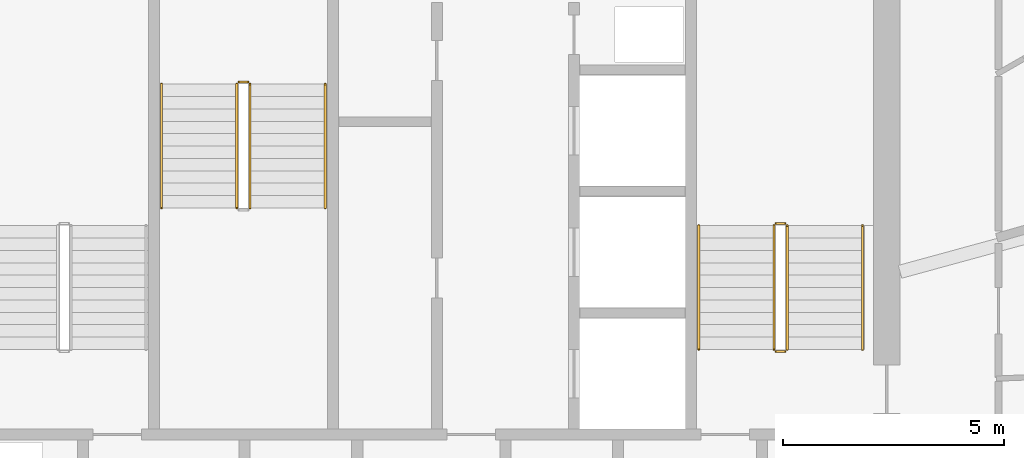
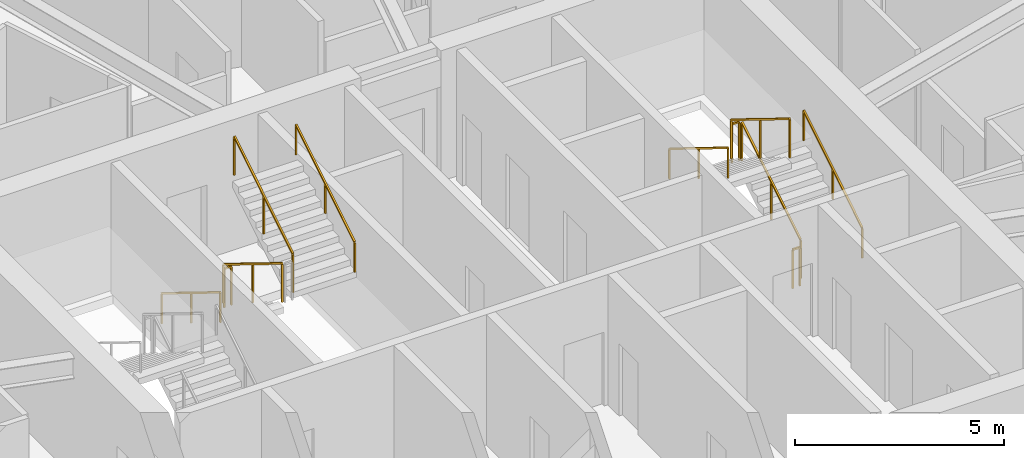
# One storey, part 25 of 26: 11 railings.
"""IFC4 building model written with IfcOpenShell, lengths in metres."""

from ifc_helpers import new_model, si_unit, direction, frame, origin, origin_2d, place, context, subcontext, project, spatial, rectangle, extrude, material, type_object, element, save


model = new_model("IFC4")

# Units and contexts
model_context = context("Model", 3, precision=1e-05, world=origin(), true_north=direction((0.0, 1.0)))
body_context = subcontext(model_context, "Body", "Model", "MODEL_VIEW")
ifc_project = project(units=[si_unit("LENGTHUNIT", "METRE"), si_unit("AREAUNIT", "SQUARE_METRE"), si_unit("VOLUMEUNIT", "CUBIC_METRE"), si_unit("PLANEANGLEUNIT", "RADIAN"), si_unit("MASSUNIT", "GRAM", prefix="KILO")], contexts=[model_context])

# Site, building, storey
site_placement = place(None, origin())
site = spatial("IfcSite", under=ifc_project, at=site_placement, CompositionType="ELEMENT")
building_placement = place(site_placement, origin())
building = spatial("IfcBuilding", under=site, at=building_placement, Name="Zuhravey Tower", CompositionType="ELEMENT")
storey_placement = place(building_placement, frame((0.0, 0.0, 295.800048828125)))
storey = spatial("IfcBuildingStorey", under=building, at=storey_placement, Name="L75", CompositionType="ELEMENT", Elevation=295.800048828125)

# Railings
ifc_material_1 = material(Name="Brushed stainless steel", Category="steel")
railing_type_1 = type_object("IfcRailingType", Name="Stair Wall Handrail 900", PredefinedType="HANDRAIL", material=ifc_material_1)
railing_1_placement = place(storey_placement, frame((45.949951171875, 33.199951171875, 0.172607421875)))
element("IfcRailing", 1, at=railing_1_placement, inside=storey, type_object=railing_type_1, Name="L75 ST2 stair handrail 1", PredefinedType="HANDRAIL", context=body_context, shape_type="SweptSolid", body=[
    extrude(rectangle(XDim=0.048095703125, YDim=0.048095703125, at=origin_2d()), frame((0.0, 0.001708984375, 0.876953125), z_axis=(0.0, 0.851089632645, 0.525020415988), x_axis=(-1.0, 0.0, 0.0)), (0.0, 0.0, 1.0), 3.285888671875),
    extrude(rectangle(XDim=0.0419921875, YDim=0.0419921875, at=origin_2d()), origin(), (0.0, 0.0, 1.0), 0.849853515625),
    extrude(rectangle(XDim=0.0419921875, YDim=0.0419921875, at=origin_2d()), frame((0.0, 1.39990234375, 0.86376953125)), (0.0, 0.0, 1.0), 0.849853515625),
    extrude(rectangle(XDim=0.0419921875, YDim=0.0419921875, at=origin_2d()), frame((0.0, 2.800048828125, 1.727294921875)), (0.0, 0.0, 1.0), 0.849853515625),
])
for number, where, name in (
    (2, (42.25, 36.0, 2.07275390625), "L75 ST2 stair handrail 2"),
    (3, (30.10009765625, 39.199951171875, 0.172607421875), "L75 ST3 stair handrail 1"),
):
    element("IfcRailing", number, at=place(storey_placement, frame(where)), inside=storey, type_object=railing_type_1, Name=name, PredefinedType="HANDRAIL", context=body_context, shape_type="SweptSolid", body=[
        extrude(rectangle(XDim=0.048095703125, YDim=0.048095703125, at=origin_2d()), frame((0.0, -0.001708984375, 0.876953125), z_axis=(0.0, -0.851089632645, 0.525020415988), x_axis=(1.0, 0.0, 0.0)), (0.0, 0.0, 1.0), 3.285888671875),
        extrude(rectangle(XDim=0.0419921875, YDim=0.0419921875, at=origin_2d()), origin(), (0.0, 0.0, 1.0), 0.849853515625),
        extrude(rectangle(XDim=0.0419921875, YDim=0.0419921875, at=origin_2d()), frame((0.0, -1.39990234375, 0.86376953125)), (0.0, 0.0, 1.0), 0.849853515625),
        extrude(rectangle(XDim=0.0419921875, YDim=0.0419921875, at=origin_2d()), frame((0.0, -2.800048828125, 1.727294921875)), (0.0, 0.0, 1.0), 0.849853515625),
    ])
railing_2_placement = place(storey_placement, frame((33.800048828125, 36.39990234375, 2.07275390625)))
element("IfcRailing", 4, at=railing_2_placement, inside=storey, type_object=railing_type_1, Name="L75 ST3 stair handrail 2", PredefinedType="HANDRAIL", context=body_context, shape_type="SweptSolid", body=[
    extrude(rectangle(XDim=0.048095703125, YDim=0.048095703125, at=origin_2d()), frame((0.0, 0.001708984375, 0.876953125), z_axis=(0.0, 0.851089632645, 0.525020415988), x_axis=(-1.0, 0.0, 0.0)), (0.0, 0.0, 1.0), 3.285888671875),
    extrude(rectangle(XDim=0.0419921875, YDim=0.0419921875, at=origin_2d()), origin(), (0.0, 0.0, 1.0), 0.849853515625),
    extrude(rectangle(XDim=0.0419921875, YDim=0.0419921875, at=origin_2d()), frame((0.0, 1.39990234375, 0.86376953125)), (0.0, 0.0, 1.0), 0.849853515625),
    extrude(rectangle(XDim=0.0419921875, YDim=0.0419921875, at=origin_2d()), frame((0.0, 2.800048828125, 1.727294921875)), (0.0, 0.0, 1.0), 0.849853515625),
])
ifc_material_2 = material(Name="Painted tubular steel", Category="steel")
railing_type_2 = type_object("IfcRailingType", Name="Stair Well Guardrail 1150", PredefinedType="GUARDRAIL", material=ifc_material_2)
railing_3_placement = place(storey_placement, frame((44.25, 33.199951171875, 0.172607421875)))
element("IfcRailing", 5, at=railing_3_placement, inside=storey, type_object=railing_type_2, Name="L75 ST2 stair guard 1", PredefinedType="GUARDRAIL", context=body_context, shape_type="SweptSolid", body=[
    extrude(rectangle(XDim=0.048095703125, YDim=0.048095703125, at=origin_2d()), frame((0.0, 0.001708984375, 1.126953125), z_axis=(0.0, 0.851089632645, 0.525020415988), x_axis=(-1.0, 0.0, 0.0)), (0.0, 0.0, 1.0), 3.285888671875),
    extrude(rectangle(XDim=0.0419921875, YDim=0.0419921875, at=origin_2d()), origin(), (0.0, 0.0, 1.0), 1.099853515625),
    extrude(rectangle(XDim=0.0419921875, YDim=0.0419921875, at=origin_2d()), frame((0.0, 1.39990234375, 0.86376953125)), (0.0, 0.0, 1.0), 1.099853515625),
    extrude(rectangle(XDim=0.0419921875, YDim=0.0419921875, at=origin_2d()), frame((0.0, 2.800048828125, 1.727294921875)), (0.0, 0.0, 1.0), 1.099853515625),
])
railing_4_placement = place(storey_placement, frame((44.199951171875, 36.050048828125, 1.89990234375)))
element("IfcRailing", 6, at=railing_4_placement, inside=storey, type_object=railing_type_2, Name="L75 ST2 stair guard 2", PredefinedType="GUARDRAIL", context=body_context, shape_type="SweptSolid", body=[
    extrude(rectangle(XDim=0.048095703125, YDim=0.048095703125, at=origin_2d()), frame((-0.001953125, 0.0, 1.1259765625), z_axis=(-1.0, 0.0, 0.0), x_axis=(0.0, -1.0, 0.0)), (0.0, 0.0, 1.0), 0.196044921875),
    extrude(rectangle(XDim=0.0419921875, YDim=0.0419921875, at=origin_2d()), origin(), (0.0, 0.0, 1.0), 1.099853515625),
    extrude(rectangle(XDim=0.0419921875, YDim=0.0419921875, at=origin_2d()), frame((-0.199951171875, 0.0, 0.0)), (0.0, 0.0, 1.0), 1.099853515625),
])
railing_5_placement = place(storey_placement, frame((43.949951171875, 36.0, 2.07275390625)))
element("IfcRailing", 7, at=railing_5_placement, inside=storey, type_object=railing_type_2, Name="L75 ST2 stair guard 3", PredefinedType="GUARDRAIL", context=body_context, shape_type="SweptSolid", body=[
    extrude(rectangle(XDim=0.048095703125, YDim=0.048095703125, at=origin_2d()), frame((0.0, -0.001708984375, 1.126953125), z_axis=(0.0, -0.851089632645, 0.525020415988), x_axis=(1.0, 0.0, 0.0)), (0.0, 0.0, 1.0), 3.285888671875),
    extrude(rectangle(XDim=0.0419921875, YDim=0.0419921875, at=origin_2d()), origin(), (0.0, 0.0, 1.0), 1.099853515625),
    extrude(rectangle(XDim=0.0419921875, YDim=0.0419921875, at=origin_2d()), frame((0.0, -1.39990234375, 0.86376953125)), (0.0, 0.0, 1.0), 1.099853515625),
    extrude(rectangle(XDim=0.0419921875, YDim=0.0419921875, at=origin_2d()), frame((0.0, -2.800048828125, 1.727294921875)), (0.0, 0.0, 1.0), 1.099853515625),
])
railing_6_placement = place(storey_placement, frame((44.199951171875, 33.14990234375, 0.0)))
element("IfcRailing", 8, at=railing_6_placement, inside=storey, type_object=railing_type_2, Name="L75 ST2 stair guard 4", PredefinedType="GUARDRAIL", context=body_context, shape_type="SweptSolid", body=[
    extrude(rectangle(XDim=0.048095703125, YDim=0.048095703125, at=origin_2d()), frame((-0.001953125, 0.0, 1.1259765625), z_axis=(-1.0, 0.0, 0.0), x_axis=(0.0, -1.0, 0.0)), (0.0, 0.0, 1.0), 0.196044921875),
    extrude(rectangle(XDim=0.0419921875, YDim=0.0419921875, at=origin_2d()), origin(), (0.0, 0.0, 1.0), 1.099853515625),
    extrude(rectangle(XDim=0.0419921875, YDim=0.0419921875, at=origin_2d()), frame((-0.199951171875, 0.0, 0.0)), (0.0, 0.0, 1.0), 1.099853515625),
])
railing_7_placement = place(storey_placement, frame((31.800048828125, 39.199951171875, 0.172607421875)))
element("IfcRailing", 9, at=railing_7_placement, inside=storey, type_object=railing_type_2, Name="L75 ST3 stair guard 1", PredefinedType="GUARDRAIL", context=body_context, shape_type="SweptSolid", body=[
    extrude(rectangle(XDim=0.048095703125, YDim=0.048095703125, at=origin_2d()), frame((0.0, -0.001708984375, 1.126953125), z_axis=(0.0, -0.851089632645, 0.525020415988), x_axis=(1.0, 0.0, 0.0)), (0.0, 0.0, 1.0), 3.285888671875),
    extrude(rectangle(XDim=0.0419921875, YDim=0.0419921875, at=origin_2d()), origin(), (0.0, 0.0, 1.0), 1.099853515625),
    extrude(rectangle(XDim=0.0419921875, YDim=0.0419921875, at=origin_2d()), frame((0.0, -1.39990234375, 0.86376953125)), (0.0, 0.0, 1.0), 1.099853515625),
    extrude(rectangle(XDim=0.0419921875, YDim=0.0419921875, at=origin_2d()), frame((0.0, -2.800048828125, 1.727294921875)), (0.0, 0.0, 1.0), 1.099853515625),
])
railing_8_placement = place(storey_placement, frame((32.10009765625, 36.39990234375, 2.07275390625)))
element("IfcRailing", 10, at=railing_8_placement, inside=storey, type_object=railing_type_2, Name="L75 ST3 stair guard 3", PredefinedType="GUARDRAIL", context=body_context, shape_type="SweptSolid", body=[
    extrude(rectangle(XDim=0.048095703125, YDim=0.048095703125, at=origin_2d()), frame((0.0, 0.001708984375, 1.126953125), z_axis=(0.0, 0.851089632645, 0.525020415988), x_axis=(-1.0, 0.0, 0.0)), (0.0, 0.0, 1.0), 3.285888671875),
    extrude(rectangle(XDim=0.0419921875, YDim=0.0419921875, at=origin_2d()), origin(), (0.0, 0.0, 1.0), 1.099853515625),
    extrude(rectangle(XDim=0.0419921875, YDim=0.0419921875, at=origin_2d()), frame((0.0, 1.39990234375, 0.86376953125)), (0.0, 0.0, 1.0), 1.099853515625),
    extrude(rectangle(XDim=0.0419921875, YDim=0.0419921875, at=origin_2d()), frame((0.0, 2.800048828125, 1.727294921875)), (0.0, 0.0, 1.0), 1.099853515625),
])
railing_9_placement = place(storey_placement, frame((31.85009765625, 39.25, 0.0)))
element("IfcRailing", 11, at=railing_9_placement, inside=storey, type_object=railing_type_2, Name="L75 ST3 stair guard 4", PredefinedType="GUARDRAIL", context=body_context, shape_type="SweptSolid", body=[
    extrude(rectangle(XDim=0.048095703125, YDim=0.048095703125, at=origin_2d()), frame((0.001953125, 0.0, 1.1259765625), z_axis=(1.0, 0.0, 0.0), x_axis=(0.0, 1.0, 0.0)), (0.0, 0.0, 1.0), 0.196044921875),
    extrude(rectangle(XDim=0.0419921875, YDim=0.0419921875, at=origin_2d()), origin(), (0.0, 0.0, 1.0), 1.099853515625),
    extrude(rectangle(XDim=0.0419921875, YDim=0.0419921875, at=origin_2d()), frame((0.199951171875, 0.0, 0.0)), (0.0, 0.0, 1.0), 1.099853515625),
])

save(model, "model.ifc")
